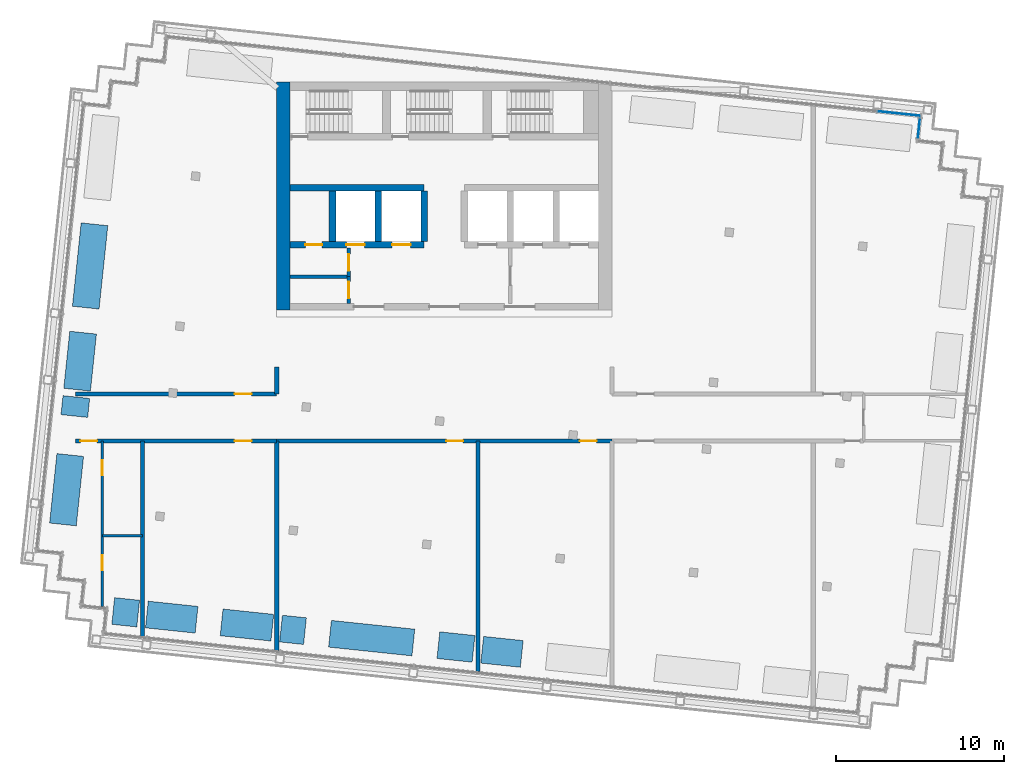
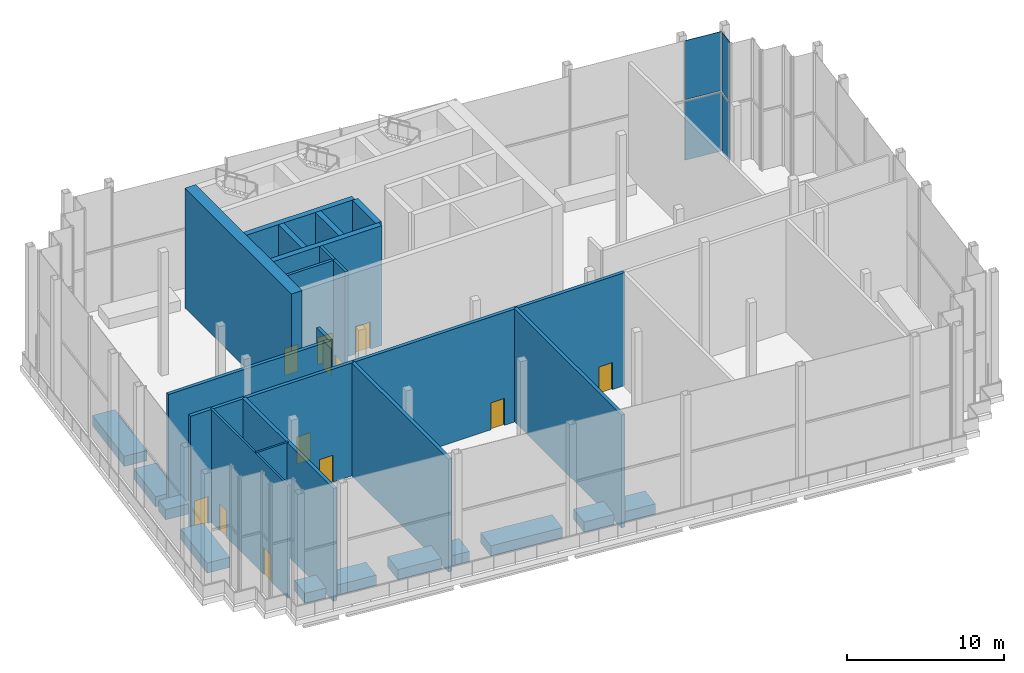
# One storey, part 8 of 14: 29 walls, 12 doors, 4 plates, 12 openings, 2 elements without a shape of their own.
"""IFC4 building model written with IfcOpenShell, lengths in metres."""

from ifc_helpers import new_model, si_unit, direction, frame, frame_2d, origin, origin_2d, place, context, subcontext, project, spatial, rectangle, extrude, material, layer, layer_set, type_object, element, fill, aggregate, save


model = new_model("IFC4")

# Units and contexts
model_context = context("Model", 3, precision=1e-05, world=origin(), true_north=direction((0.0, 1.0)))
body_context = subcontext(model_context, "Body", "Model", "MODEL_VIEW")
ifc_project = project(units=[si_unit("LENGTHUNIT", "METRE"), si_unit("AREAUNIT", "SQUARE_METRE"), si_unit("VOLUMEUNIT", "CUBIC_METRE"), si_unit("PLANEANGLEUNIT", "RADIAN"), si_unit("MASSUNIT", "GRAM", prefix="KILO")], contexts=[model_context])

# Site, building, storey
site_placement = place(None, origin())
site = spatial("IfcSite", under=ifc_project, at=site_placement, CompositionType="ELEMENT")
building_placement = place(site_placement, origin())
building = spatial("IfcBuilding", under=site, at=building_placement, Name="Vidyagriha Tower", CompositionType="ELEMENT")
storey_placement = place(building_placement, frame((0.0, 0.0, 281.89990234375)))
storey = spatial("IfcBuildingStorey", under=building, at=storey_placement, Name="L74", CompositionType="ELEMENT", Elevation=281.89990234375)

# Curtain wall, plates
ifc_material_1 = material(Name="Aluminium and glass curtain wall", Category="aluminium")
curtain_wall_type = type_object("IfcCurtainWallType", Name="Winter garden glazing wall", PredefinedType="USERDEFINED", material=ifc_material_1)
curtain_wall_1_placement = place(storey_placement, origin())
curtain_wall_1 = element("IfcCurtainWall", 1, at=curtain_wall_1_placement, inside=storey, type_object=curtain_wall_type, Name="CW3 winter garden glazing", ObjectType="STICK GLAZING", PredefinedType="USERDEFINED")
ifc_material_2 = material(Name="Laminated green-tint solar-control glass", Category="glass")
ifc_layer_1 = layer(ifc_material_2, 0.031982421875)
ifc_layer_set_1 = layer_set([ifc_layer_1], Name="Laminated green-tint solar-control glass")
plate_type = type_object("IfcPlateType", Name="Green-tint winter garden glass panel", PredefinedType="CURTAIN_PANEL", material=ifc_layer_set_1)
plate_1_placement = place(storey_placement, frame((28.3037109375, 17.24658203125, 0.0), z_axis=(0.0, 0.0, 1.0), x_axis=(0.104556583677, 0.994518939392, 0.0)))
plate_1 = element("IfcPlate", 2, at=plate_1_placement, type_object=plate_type, Name="CW3 panel 1.1", PredefinedType="CURTAIN_PANEL", context=body_context, shape_type="SweptSolid", body=[
    extrude(rectangle(XDim=1.179931640625, YDim=0.031982421875, at=origin_2d()), origin(), (0.0, 0.0, 1.0), 4.60009765625),
])
plate_2_placement = place(storey_placement, frame((28.3037109375, 17.24658203125, 4.719970703125), z_axis=(0.0, 0.0, 1.0), x_axis=(0.104556583677, 0.994518939392, 0.0)))
plate_2 = element("IfcPlate", 3, at=plate_2_placement, type_object=plate_type, Name="CW3 panel 1.2", PredefinedType="CURTAIN_PANEL", context=body_context, shape_type="SweptSolid", body=[
    extrude(rectangle(XDim=1.179931640625, YDim=0.031982421875, at=origin_2d()), origin(), (0.0, 0.0, 1.0), 4.60009765625),
])
aggregate(curtain_wall_1, [plate_1, plate_2])

curtain_wall_2_placement = place(storey_placement, origin())
curtain_wall_2 = element("IfcCurtainWall", 4, at=curtain_wall_2_placement, inside=storey, type_object=curtain_wall_type, Name="CW3 winter garden glazing", ObjectType="STICK GLAZING", PredefinedType="USERDEFINED")
plate_3_placement = place(storey_placement, frame((27.109130859375, 18.12646484375, 0.0), z_axis=(0.0, 0.0, 1.0), x_axis=(-0.994521941707, 0.104528022383, 0.0)))
plate_3 = element("IfcPlate", 5, at=plate_3_placement, type_object=plate_type, Name="CW3 panel 1.1", PredefinedType="CURTAIN_PANEL", context=body_context, shape_type="SweptSolid", body=[
    extrude(rectangle(XDim=2.56005859375, YDim=0.031982421875, at=origin_2d()), origin(), (0.0, 0.0, 1.0), 4.60009765625),
])
plate_4_placement = place(storey_placement, frame((27.109130859375, 18.12646484375, 4.719970703125), z_axis=(0.0, 0.0, 1.0), x_axis=(-0.994521941707, 0.104528022383, 0.0)))
plate_4 = element("IfcPlate", 6, at=plate_4_placement, type_object=plate_type, Name="CW3 panel 1.2", PredefinedType="CURTAIN_PANEL", context=body_context, shape_type="SweptSolid", body=[
    extrude(rectangle(XDim=2.56005859375, YDim=0.031982421875, at=origin_2d()), origin(), (0.0, 0.0, 1.0), 4.60009765625),
])
aggregate(curtain_wall_2, [plate_3, plate_4])

# Walls
ifc_material_3 = material(Name="Precast concrete C40/50 with brick facing", Category="concrete")
ifc_layer_2 = layer(ifc_material_3, 1.60009765625)
ifc_layer_set_2 = layer_set([ifc_layer_2], Name="Precast concrete C40/50 with brick facing")
wall_type_1 = type_object("IfcWallType", Name="Brick planter box 1600", PredefinedType="STANDARD", material=ifc_layer_set_2)
for number, where, z_axis, x_axis, name in (
    (7, (-20.86376953125, 11.524658203125, 0.0), (0.0, 0.0, 1.0), (-0.104539905878, -0.994520692635, 0.0), "PLANTER L74 6"),
    (8, (-6.819580078125, -12.89697265625, 0.0), (0.0, 0.0, 1.0), (0.994520692635, -0.104539905878, 0.0), "PLANTER L74 11"),
):
    element("IfcWall", number, at=place(storey_placement, frame(where, z_axis=z_axis, x_axis=x_axis)), inside=storey, type_object=wall_type_1, Name=name, PredefinedType="STANDARD", context=body_context, shape_type="SweptSolid", body=[
        extrude(rectangle(XDim=5.0, YDim=1.60009765625, at=frame_2d((2.5, 0.0))), origin(), (0.0, 0.0, 1.0), 0.800048828125),
    ])
wall_1_placement = place(storey_placement, frame((-21.543212890625, 5.060302734375, 0.0), z_axis=(0.0, 0.0, 1.0), x_axis=(-0.104499001474, -0.994524991486, 0.0)))
element("IfcWall", 9, at=wall_1_placement, inside=storey, type_object=wall_type_1, Name="PLANTER L74 7", PredefinedType="STANDARD", context=body_context, shape_type="SweptSolid", body=[
    extrude(rectangle(XDim=3.42041015625, YDim=1.60009765625, at=frame_2d((1.710205078125, 0.0))), origin(), (0.0, 0.0, 1.0), 0.800048828125),
])
wall_2_placement = place(storey_placement, frame((-21.947021484375, 1.219482421875, 0.0), z_axis=(0.0, 0.0, 1.0), x_axis=(-0.104472610257, -0.994527764171, 0.0)))
element("IfcWall", 10, at=wall_2_placement, inside=storey, type_object=wall_type_1, Name="PLANTER L74 7", PredefinedType="STANDARD", context=body_context, shape_type="SweptSolid", body=[
    extrude(rectangle(XDim=1.13818359375, YDim=1.60009765625, at=frame_2d((0.569091796875, 0.0))), origin(), (0.0, 0.0, 1.0), 0.800048828125),
])
wall_3_placement = place(storey_placement, frame((-22.31005859375, -2.23583984375, 0.0), z_axis=(0.0, 0.0, 1.0), x_axis=(-0.104547431429, -0.994519901551, 0.0)))
element("IfcWall", 11, at=wall_3_placement, inside=storey, type_object=wall_type_1, Name="PLANTER L74 8", PredefinedType="STANDARD", context=body_context, shape_type="SweptSolid", body=[
    extrude(rectangle(XDim=4.16357421875, YDim=1.60009765625, at=frame_2d((2.081787109375, 0.0))), origin(), (0.0, 0.0, 1.0), 0.800048828125),
])
wall_4_placement = place(storey_placement, frame((-19.748291015625, -11.5380859375, 0.0), z_axis=(0.0, 0.0, 1.0), x_axis=(0.994527756865, -0.104472679802, 0.0)))
element("IfcWall", 12, at=wall_4_placement, inside=storey, type_object=wall_type_1, Name="PLANTER L74 9", PredefinedType="STANDARD", context=body_context, shape_type="SweptSolid", body=[
    extrude(rectangle(XDim=1.498046875, YDim=1.60009765625, at=frame_2d((0.7490234375, 0.0))), origin(), (0.0, 0.0, 1.0), 0.800048828125),
])
wall_5_placement = place(storey_placement, frame((-17.741455078125, -11.7490234375, 0.0), z_axis=(0.0, 0.0, 1.0), x_axis=(0.994520246325, -0.104544151676, 0.0)))
element("IfcWall", 13, at=wall_5_placement, inside=storey, type_object=wall_type_1, Name="PLANTER L74 9", PredefinedType="STANDARD", context=body_context, shape_type="SweptSolid", body=[
    extrude(rectangle(XDim=2.982177734375, YDim=1.60009765625, at=frame_2d((1.4912109375, 0.0))), origin(), (0.0, 0.0, 1.0), 0.800048828125),
])
wall_6_placement = place(storey_placement, frame((-13.283935546875, -12.217529296875, 0.0), z_axis=(0.0, 0.0, 1.0), x_axis=(0.994525663128, -0.104492609215, 0.0)))
element("IfcWall", 14, at=wall_6_placement, inside=storey, type_object=wall_type_1, Name="PLANTER L74 10", PredefinedType="STANDARD", context=body_context, shape_type="SweptSolid", body=[
    extrude(rectangle(XDim=3.0419921875, YDim=1.60009765625, at=frame_2d((1.52099609375, 0.0))), origin(), (0.0, 0.0, 1.0), 0.800048828125),
])
wall_7_placement = place(storey_placement, frame((-9.741455078125, -12.58984375, 0.0), z_axis=(0.0, 0.0, 1.0), x_axis=(0.99451661027, -0.104578735392, 0.0)))
element("IfcWall", 15, at=wall_7_placement, inside=storey, type_object=wall_type_1, Name="PLANTER L74 10", PredefinedType="STANDARD", context=body_context, shape_type="SweptSolid", body=[
    extrude(rectangle(XDim=1.43798828125, YDim=1.60009765625, at=frame_2d((0.718994140625, 0.0))), origin(), (0.0, 0.0, 1.0), 0.800048828125),
])
wall_8_placement = place(storey_placement, frame((-0.35498046875, -13.576416015625, 0.0), z_axis=(0.0, 0.0, 1.0), x_axis=(0.994516236026, -0.104582294297, 0.0)))
element("IfcWall", 16, at=wall_8_placement, inside=storey, type_object=wall_type_1, Name="PLANTER L74 12", PredefinedType="STANDARD", context=body_context, shape_type="SweptSolid", body=[
    extrude(rectangle(XDim=2.10791015625, YDim=1.60009765625, at=frame_2d((1.053955078125, 0.0))), origin(), (0.0, 0.0, 1.0), 0.800048828125),
])
wall_9_placement = place(storey_placement, frame((2.258544921875, -13.85107421875, 0.0), z_axis=(0.0, 0.0, 1.0), x_axis=(0.994516727228, -0.104577623149, 0.0)))
element("IfcWall", 17, at=wall_9_placement, inside=storey, type_object=wall_type_1, Name="PLANTER L74 12", PredefinedType="STANDARD", context=body_context, shape_type="SweptSolid", body=[
    extrude(rectangle(XDim=2.371826171875, YDim=1.60009765625, at=frame_2d((1.18603515625, 0.0))), origin(), (0.0, 0.0, 1.0), 0.800048828125),
])

# Wall, openings, doors
ifc_material_4 = material(Name="Concrete C60/75", Category="concrete")
ifc_layer_3 = layer(ifc_material_4, 0.39990234375)
ifc_layer_set_3 = layer_set([ifc_layer_3], Name="Concrete C60/75")
wall_type_2 = type_object("IfcWallType", Name="Core shear wall 400 mm", PredefinedType="SHEAR", material=ifc_layer_set_3)
wall_10_placement = place(storey_placement, frame((-9.199951171875, 10.300048828125, 0.0)))
wall_10 = element("IfcWall", 18, at=wall_10_placement, inside=storey, type_object=wall_type_2, Name="Core row N front wall", PredefinedType="SHEAR", context=body_context, shape_type="SweptSolid", body=[
    extrude(rectangle(XDim=8.0, YDim=0.39990234375, at=frame_2d((4.0, 0.0))), origin(), (0.0, 0.0, 1.0), 9.320068359375),
])
opening_1_placement = place(wall_10_placement, frame((3.35009765625, 0.0, 0.0)))
opening_1 = element("IfcOpeningElement", 19, at=opening_1_placement, cuts=wall_10, Name="Opening LD74-01", PredefinedType="OPENING", context=body_context, shape_type="SweptSolid", body=[
    extrude(rectangle(XDim=1.10009765625, YDim=2.10009765625, at=frame_2d((0.550048828125, 1.050048828125))), frame((0.0, 0.2099609375, 0.0), z_axis=(0.0, -1.0, 0.0), x_axis=(1.0, 0.0, 0.0)), (0.0, 0.0, 1.0), 0.419921875),
])
opening_2_placement = place(wall_10_placement, frame((6.083251953125, 0.0, 0.0)))
opening_2 = element("IfcOpeningElement", 20, at=opening_2_placement, cuts=wall_10, Name="Opening LD74-02", PredefinedType="OPENING", context=body_context, shape_type="SweptSolid", body=[
    extrude(rectangle(XDim=1.10009765625, YDim=2.10009765625, at=frame_2d((0.550048828125, 1.050048828125))), frame((0.0, 0.2099609375, 0.0), z_axis=(0.0, -1.0, 0.0), x_axis=(1.0, 0.0, 0.0)), (0.0, 0.0, 1.0), 0.419921875),
])
opening_3_placement = place(wall_10_placement, frame((0.916748046875, 0.0, 0.0)))
opening_3 = element("IfcOpeningElement", 21, at=opening_3_placement, cuts=wall_10, Name="Opening D74-04", PredefinedType="OPENING", context=body_context, shape_type="SweptSolid", body=[
    extrude(rectangle(XDim=1.0, YDim=2.10009765625, at=frame_2d((0.5, 1.050048828125))), frame((0.0, 0.2099609375, 0.0), z_axis=(0.0, -1.0, 0.0), x_axis=(1.0, 0.0, 0.0)), (0.0, 0.0, 1.0), 0.419921875),
])
ifc_material_5 = material(Name="Hollow metal door leaf")
door_type_1 = type_object("IfcDoorType", Name="Core room door 1000 x 2100 mm EI 60", OperationType="NOTDEFINED", PredefinedType="DOOR", material=ifc_material_5)
door_1_placement = place(opening_3_placement, frame((1.0, 0.0, 0.0), z_axis=(0.0, 0.0, 1.0), x_axis=(-1.0, 0.0, 0.0)))
door_1 = element("IfcDoor", 22, at=door_1_placement, inside=storey, type_object=door_type_1, Name="Door Communications Room 74.14", OperationType="SINGLE_SWING_RIGHT", OverallHeight=2.10009765625, OverallWidth=1.0, PredefinedType="DOOR", context=body_context, shape_type="SweptSolid", body=[
    extrude(rectangle(XDim=1.0, YDim=2.10009765625, at=frame_2d((0.5, 1.050048828125))), frame((0.0, 0.02490234375, 0.0), z_axis=(0.0, -1.0, 0.0), x_axis=(1.0, 0.0, 0.0)), (0.0, 0.0, 1.0), 0.050048828125),
])
fill(opening_3, door_1)
ifc_material_6 = material(Name="Stainless steel sliding door panel", Category="steel")
door_type_2 = type_object("IfcDoorType", Name="Lift landing door 1100 x 2100 mm EI 90", OperationType="NOTDEFINED", PredefinedType="DOOR", material=ifc_material_6)
door_2_placement = place(opening_1_placement, origin())
door_2 = element("IfcDoor", 23, at=door_2_placement, inside=storey, type_object=door_type_2, Name="Landing door HR1 L74", OperationType="SLIDING_TO_LEFT", OverallHeight=2.10009765625, OverallWidth=1.10009765625, PredefinedType="DOOR", context=body_context, shape_type="SweptSolid", body=[
    extrude(rectangle(XDim=1.10009765625, YDim=2.10009765625, at=frame_2d((0.550048828125, 1.050048828125))), frame((0.0, 0.02490234375, 0.0), z_axis=(0.0, -1.0, 0.0), x_axis=(1.0, 0.0, 0.0)), (0.0, 0.0, 1.0), 0.050048828125),
])
fill(opening_1, door_2)
door_3_placement = place(opening_2_placement, origin())
door_3 = element("IfcDoor", 24, at=door_3_placement, inside=storey, type_object=door_type_2, Name="Landing door HR2 L74", OperationType="SLIDING_TO_LEFT", OverallHeight=2.10009765625, OverallWidth=1.10009765625, PredefinedType="DOOR", context=body_context, shape_type="SweptSolid", body=[
    extrude(rectangle(XDim=1.10009765625, YDim=2.10009765625, at=frame_2d((0.550048828125, 1.050048828125))), frame((0.0, 0.02490234375, 0.0), z_axis=(0.0, -1.0, 0.0), x_axis=(1.0, 0.0, 0.0)), (0.0, 0.0, 1.0), 0.050048828125),
])
fill(opening_2, door_3)

# Walls
wall_11_placement = place(storey_placement, frame((-9.199951171875, 13.699951171875, 0.0)))
element("IfcWall", 25, at=wall_11_placement, inside=storey, type_object=wall_type_2, Name="Core row N rear wall", PredefinedType="SHEAR", context=body_context, shape_type="SweptSolid", body=[
    extrude(rectangle(XDim=8.0, YDim=0.39990234375, at=frame_2d((4.0, 0.0))), origin(), (0.0, 0.0, 1.0), 9.320068359375),
])
for number, where, z_axis, x_axis, name in (
    (26, (-6.666748046875, 10.5, 0.0), (0.0, 0.0, 1.0), (0.0, 1.0, 0.0), "Core bay wall N1"),
    (27, (-3.933349609375, 10.5, 0.0), (0.0, 0.0, 1.0), (0.0, 1.0, 0.0), "Core bay wall N2"),
    (28, (-1.199951171875, 10.5, 0.0), (0.0, 0.0, 1.0), (0.0, 1.0, 0.0), "Core bay wall N3"),
):
    element("IfcWall", number, at=place(storey_placement, frame(where, z_axis=z_axis, x_axis=x_axis)), inside=storey, type_object=wall_type_2, Name=name, PredefinedType="SHEAR", context=body_context, shape_type="SweptSolid", body=[
        extrude(rectangle(XDim=3.0, YDim=0.39990234375, at=frame_2d((1.5, 0.0))), origin(), (0.0, 0.0, 1.0), 9.320068359375),
    ])
ifc_material_7 = material(Name="Concrete C60/75", Category="concrete")
ifc_layer_4 = layer(ifc_material_7, 0.800048828125)
ifc_layer_set_4 = layer_set([ifc_layer_4], Name="Concrete C60/75")
wall_type_3 = type_object("IfcWallType", Name="Core shear wall 800 mm", PredefinedType="SHEAR", material=ifc_layer_set_4)
wall_12_placement = place(storey_placement, frame((-9.60009765625, 6.39990234375, 0.0), z_axis=(0.0, 0.0, 1.0), x_axis=(0.0, 1.0, 0.0)))
element("IfcWall", 29, at=wall_12_placement, inside=storey, type_object=wall_type_3, Name="Core west wall", PredefinedType="SHEAR", context=body_context, shape_type="SweptSolid", body=[
    extrude(rectangle(XDim=13.60009765625, YDim=0.800048828125, at=frame_2d((6.800048828125, 0.0))), origin(), (0.0, 0.0, 1.0), 9.320068359375),
])

# Wall, openings, doors
ifc_material_8 = material(Name="Fired clay brick masonry", Category="masonry")
ifc_layer_5 = layer(ifc_material_8, 0.25)
ifc_layer_set_5 = layer_set([ifc_layer_5], Name="Fired clay brick masonry")
wall_type_4 = type_object("IfcWallType", Name="Fired clay brick corridor wall 250", PredefinedType="PARTITIONING", material=ifc_layer_set_5)
wall_13_placement = place(storey_placement, frame((-10.0, -1.39990234375, 0.0), z_axis=(0.0, 0.0, 1.0), x_axis=(-1.0, 0.0, 0.0)))
wall_13 = element("IfcWall", 30, at=wall_13_placement, inside=storey, type_object=wall_type_4, Name="Wall all-L74-w001", PredefinedType="PARTITIONING", context=body_context, shape_type="SweptSolid", body=[
    extrude(rectangle(XDim=12.0, YDim=0.25, at=frame_2d((6.0, 0.0))), origin(), (0.0, 0.0, 1.0), 8.800048828125),
])
opening_4_placement = place(wall_13_placement, frame((1.5, 0.0, 0.0)))
opening_4 = element("IfcOpeningElement", 31, at=opening_4_placement, cuts=wall_13, Name="Opening D74-11", PredefinedType="OPENING", context=body_context, shape_type="SweptSolid", body=[
    extrude(rectangle(XDim=1.0, YDim=2.10009765625, at=frame_2d((0.5, 1.050048828125))), frame((0.0, 0.135009765625, 0.0), z_axis=(0.0, -1.0, 0.0), x_axis=(1.0, 0.0, 0.0)), (0.0, 0.0, 1.0), 0.27001953125),
])
opening_5_placement = place(wall_13_placement, frame((10.699951171875, 0.0, 0.0)))
opening_5 = element("IfcOpeningElement", 32, at=opening_5_placement, cuts=wall_13, Name="Opening D74-14", PredefinedType="OPENING", context=body_context, shape_type="SweptSolid", body=[
    extrude(rectangle(XDim=1.0, YDim=2.10009765625, at=frame_2d((0.5, 1.050048828125))), frame((0.0, 0.135009765625, 0.0), z_axis=(0.0, -1.0, 0.0), x_axis=(1.0, 0.0, 0.0)), (0.0, 0.0, 1.0), 0.27001953125),
])
ifc_material_9 = material(Name="Fire-rated timber door leaf EI 60", Category="wood")
door_type_3 = type_object("IfcDoorType", Name="Flat entrance fire door 1000x2100", OperationType="NOTDEFINED", PredefinedType="DOOR", material=ifc_material_9)
door_4_placement = place(opening_4_placement, origin())
door_4 = element("IfcDoor", 33, at=door_4_placement, inside=storey, type_object=door_type_3, Name="Door D74-11", OperationType="SINGLE_SWING_LEFT", OverallHeight=2.10009765625, OverallWidth=1.0, PredefinedType="DOOR", context=body_context, shape_type="SweptSolid", body=[
    extrude(rectangle(XDim=1.0, YDim=2.10009765625, at=frame_2d((0.5, 1.050048828125))), frame((0.0, 0.02490234375, 0.0), z_axis=(0.0, -1.0, 0.0), x_axis=(1.0, 0.0, 0.0)), (0.0, 0.0, 1.0), 0.050048828125),
])
fill(opening_4, door_4)
door_5_placement = place(opening_5_placement, origin())
door_5 = element("IfcDoor", 34, at=door_5_placement, inside=storey, type_object=door_type_3, Name="Door D74-14", OperationType="SINGLE_SWING_LEFT", OverallHeight=2.10009765625, OverallWidth=1.0, PredefinedType="DOOR", context=body_context, shape_type="SweptSolid", body=[
    extrude(rectangle(XDim=1.0, YDim=2.10009765625, at=frame_2d((0.5, 1.050048828125))), frame((0.0, 0.02490234375, 0.0), z_axis=(0.0, -1.0, 0.0), x_axis=(1.0, 0.0, 0.0)), (0.0, 0.0, 1.0), 0.050048828125),
])
fill(opening_5, door_5)

# Wall, opening, door
wall_14_placement = place(storey_placement, frame((-22.0, 1.39990234375, 0.0)))
wall_14 = element("IfcWall", 35, at=wall_14_placement, inside=storey, type_object=wall_type_4, Name="Wall all-L74-w010", PredefinedType="PARTITIONING", context=body_context, shape_type="SweptSolid", body=[
    extrude(rectangle(XDim=12.0, YDim=0.25, at=frame_2d((6.0, 0.0))), origin(), (0.0, 0.0, 1.0), 8.800048828125),
])
opening_6_placement = place(wall_14_placement, frame((9.5, 0.0, 0.0)))
opening_6 = element("IfcOpeningElement", 36, at=opening_6_placement, cuts=wall_14, Name="Opening D74-15", PredefinedType="OPENING", context=body_context, shape_type="SweptSolid", body=[
    extrude(rectangle(XDim=1.0, YDim=2.10009765625, at=frame_2d((0.5, 1.050048828125))), frame((0.0, 0.135009765625, 0.0), z_axis=(0.0, -1.0, 0.0), x_axis=(1.0, 0.0, 0.0)), (0.0, 0.0, 1.0), 0.27001953125),
])
door_6_placement = place(opening_6_placement, origin())
door_6 = element("IfcDoor", 37, at=door_6_placement, inside=storey, type_object=door_type_3, Name="Door D74-15", OperationType="SINGLE_SWING_RIGHT", OverallHeight=2.10009765625, OverallWidth=1.0, PredefinedType="DOOR", context=body_context, shape_type="SweptSolid", body=[
    extrude(rectangle(XDim=1.0, YDim=2.10009765625, at=frame_2d((0.5, 1.050048828125))), frame((0.0, 0.02490234375, 0.0), z_axis=(0.0, -1.0, 0.0), x_axis=(1.0, 0.0, 0.0)), (0.0, 0.0, 1.0), 0.050048828125),
])
fill(opening_6, door_6)

# Wall, openings, doors
wall_15_placement = place(storey_placement, frame((10.0, -1.39990234375, 0.0), z_axis=(0.0, 0.0, 1.0), x_axis=(-1.0, 0.0, 0.0)))
wall_15 = element("IfcWall", 38, at=wall_15_placement, inside=storey, type_object=wall_type_4, Name="Wall all-L74-w028", PredefinedType="PARTITIONING", context=body_context, shape_type="SweptSolid", body=[
    extrude(rectangle(XDim=20.0, YDim=0.25, at=frame_2d((10.0, 0.0))), origin(), (0.0, 0.0, 1.0), 8.800048828125),
])
opening_7_placement = place(wall_15_placement, frame((8.872802734375, 0.0, 0.0)))
opening_7 = element("IfcOpeningElement", 39, at=opening_7_placement, cuts=wall_15, Name="Opening D74-21", PredefinedType="OPENING", context=body_context, shape_type="SweptSolid", body=[
    extrude(rectangle(XDim=1.0, YDim=2.10009765625, at=frame_2d((0.5, 1.050048828125))), frame((0.0, 0.135009765625, 0.0), z_axis=(0.0, -1.0, 0.0), x_axis=(1.0, 0.0, 0.0)), (0.0, 0.0, 1.0), 0.27001953125),
])
opening_8_placement = place(wall_15_placement, frame((0.91650390625, 0.0, 0.0)))
opening_8 = element("IfcOpeningElement", 40, at=opening_8_placement, cuts=wall_15, Name="Opening D74-22", PredefinedType="OPENING", context=body_context, shape_type="SweptSolid", body=[
    extrude(rectangle(XDim=1.0, YDim=2.10009765625, at=frame_2d((0.5, 1.050048828125))), frame((0.0, 0.135009765625, 0.0), z_axis=(0.0, -1.0, 0.0), x_axis=(1.0, 0.0, 0.0)), (0.0, 0.0, 1.0), 0.27001953125),
])
door_7_placement = place(opening_7_placement, origin())
door_7 = element("IfcDoor", 41, at=door_7_placement, inside=storey, type_object=door_type_3, Name="Door D74-21", OperationType="SINGLE_SWING_LEFT", OverallHeight=2.10009765625, OverallWidth=1.0, PredefinedType="DOOR", context=body_context, shape_type="SweptSolid", body=[
    extrude(rectangle(XDim=1.0, YDim=2.10009765625, at=frame_2d((0.5, 1.050048828125))), frame((0.0, 0.02490234375, 0.0), z_axis=(0.0, -1.0, 0.0), x_axis=(1.0, 0.0, 0.0)), (0.0, 0.0, 1.0), 0.050048828125),
])
fill(opening_7, door_7)
door_8_placement = place(opening_8_placement, origin())
door_8 = element("IfcDoor", 42, at=door_8_placement, inside=storey, type_object=door_type_3, Name="Door D74-22", OperationType="SINGLE_SWING_LEFT", OverallHeight=2.10009765625, OverallWidth=1.0, PredefinedType="DOOR", context=body_context, shape_type="SweptSolid", body=[
    extrude(rectangle(XDim=1.0, YDim=2.10009765625, at=frame_2d((0.5, 1.050048828125))), frame((0.0, 0.02490234375, 0.0), z_axis=(0.0, -1.0, 0.0), x_axis=(1.0, 0.0, 0.0)), (0.0, 0.0, 1.0), 0.050048828125),
])
fill(opening_8, door_8)

# Walls
wall_16_placement = place(storey_placement, frame((-10.0, 3.0, 0.0), z_axis=(0.0, 0.0, 1.0), x_axis=(0.0, -1.0, 0.0)))
element("IfcWall", 43, at=wall_16_placement, inside=storey, type_object=wall_type_4, Name="Wall all-L74-w029", PredefinedType="PARTITIONING", context=body_context, shape_type="SweptSolid", body=[
    extrude(rectangle(XDim=1.60009765625, YDim=0.25, at=frame_2d((0.800048828125, 0.0))), origin(), (0.0, 0.0, 1.0), 8.800048828125),
])
ifc_material_10 = material(Name="Fired clay brick masonry", Category="masonry")
ifc_layer_6 = layer(ifc_material_10, 0.25)
ifc_layer_set_6 = layer_set([ifc_layer_6], Name="Fired clay brick masonry")
wall_type_5 = type_object("IfcWallType", Name="Fired clay brick demising wall 250", PredefinedType="PARTITIONING", material=ifc_layer_set_6)
wall_17_placement = place(storey_placement, frame((-18.0, -1.39990234375, 0.0), z_axis=(0.0, 0.0, 1.0), x_axis=(0.0, -1.0, 0.0)))
element("IfcWall", 44, at=wall_17_placement, inside=storey, type_object=wall_type_5, Name="Wall all-L74-w008", PredefinedType="PARTITIONING", context=body_context, shape_type="SweptSolid", body=[
    extrude(rectangle(XDim=11.650390625, YDim=0.25, at=frame_2d((5.8251953125, 0.0))), origin(), (0.0, 0.0, 1.0), 8.800048828125),
])
wall_18_placement = place(storey_placement, frame((-10.0, -1.39990234375, 0.0), z_axis=(0.0, 0.0, 1.0), x_axis=(0.0, -1.0, 0.0)))
element("IfcWall", 45, at=wall_18_placement, inside=storey, type_object=wall_type_5, Name="Wall all-L74-w009", PredefinedType="PARTITIONING", context=body_context, shape_type="SweptSolid", body=[
    extrude(rectangle(XDim=12.4912109375, YDim=0.25, at=frame_2d((6.24560546875, 0.0))), origin(), (0.0, 0.0, 1.0), 8.800048828125),
])
wall_19_placement = place(storey_placement, frame((2.0, -1.39990234375, 0.0), z_axis=(0.0, 0.0, 1.0), x_axis=(0.0, -1.0, 0.0)))
element("IfcWall", 46, at=wall_19_placement, inside=storey, type_object=wall_type_5, Name="Wall all-L74-w027", PredefinedType="PARTITIONING", context=body_context, shape_type="SweptSolid", body=[
    extrude(rectangle(XDim=13.75244140625, YDim=0.25, at=frame_2d((6.876220703125, 0.0))), origin(), (0.0, 0.0, 1.0), 8.800048828125),
])
ifc_material_11 = material(Name="Gypsum board partition")
ifc_layer_7 = layer(ifc_material_11, 0.14990234375)
ifc_layer_set_7 = layer_set([ifc_layer_7], Name="Gypsum board partition")
wall_type_6 = type_object("IfcWallType", Name="Gypsum board partition 150", PredefinedType="PARTITIONING", material=ifc_layer_set_7)
wall_20_placement = place(storey_placement, frame((-18.0, -7.061279296875, 0.0), z_axis=(0.0, 0.0, 1.0), x_axis=(-1.0, 0.0, 0.0)))
element("IfcWall", 47, at=wall_20_placement, inside=storey, type_object=wall_type_6, Name="Wall all-L74-w005", PredefinedType="PARTITIONING", context=body_context, shape_type="SweptSolid", body=[
    extrude(rectangle(XDim=2.39990234375, YDim=0.14990234375, at=frame_2d((1.199951171875, 0.0))), origin(), (0.0, 0.0, 1.0), 8.800048828125),
])

# Wall, openings, doors
ifc_material_12 = material(Name="Moisture resistant gypsum board partition")
ifc_layer_8 = layer(ifc_material_12, 0.14990234375)
ifc_layer_set_8 = layer_set([ifc_layer_8], Name="Moisture resistant gypsum board partition")
wall_type_7 = type_object("IfcWallType", Name="Gypsum board wet-area partition 150", PredefinedType="PARTITIONING", material=ifc_layer_set_8)
wall_21_placement = place(storey_placement, frame((-20.39990234375, -1.39990234375, 0.0), z_axis=(0.0, 0.0, 1.0), x_axis=(0.0, -1.0, 0.0)))
wall_21 = element("IfcWall", 48, at=wall_21_placement, inside=storey, type_object=wall_type_7, Name="Wall all-L74-w003", PredefinedType="PARTITIONING", context=body_context, shape_type="SweptSolid", body=[
    extrude(rectangle(XDim=9.87890625, YDim=0.14990234375, at=frame_2d((4.939453125, 0.0))), origin(), (0.0, 0.0, 1.0), 8.800048828125),
])
opening_9_placement = place(wall_21_placement, frame((1.14990234375, 0.0, 0.0)))
opening_9 = element("IfcOpeningElement", 49, at=opening_9_placement, cuts=wall_21, Name="Opening D74-12", PredefinedType="OPENING", context=body_context, shape_type="SweptSolid", body=[
    extrude(rectangle(XDim=0.89990234375, YDim=2.10009765625, at=frame_2d((0.449951171875, 1.050048828125))), frame((0.0, 0.0849609375, 0.0), z_axis=(0.0, -1.0, 0.0), x_axis=(1.0, 0.0, 0.0)), (0.0, 0.0, 1.0), 0.169921875),
])
opening_10_placement = place(wall_21_placement, frame((6.811279296875, 0.0, 0.0)))
opening_10 = element("IfcOpeningElement", 50, at=opening_10_placement, cuts=wall_21, Name="Opening D74-13", PredefinedType="OPENING", context=body_context, shape_type="SweptSolid", body=[
    extrude(rectangle(XDim=0.89990234375, YDim=2.10009765625, at=frame_2d((0.449951171875, 1.050048828125))), frame((0.0, 0.0849609375, 0.0), z_axis=(0.0, -1.0, 0.0), x_axis=(1.0, 0.0, 0.0)), (0.0, 0.0, 1.0), 0.169921875),
])
ifc_material_13 = material(Name="Timber door leaf", Category="wood")
door_type_4 = type_object("IfcDoorType", Name="Bathroom door 900x2100", OperationType="NOTDEFINED", PredefinedType="DOOR", material=ifc_material_13)
door_9_placement = place(opening_9_placement, origin())
door_9 = element("IfcDoor", 51, at=door_9_placement, inside=storey, type_object=door_type_4, Name="Door D74-12", OperationType="SINGLE_SWING_LEFT", OverallHeight=2.10009765625, OverallWidth=0.89990234375, PredefinedType="DOOR", context=body_context, shape_type="SweptSolid", body=[
    extrude(rectangle(XDim=0.89990234375, YDim=2.10009765625, at=frame_2d((0.449951171875, 1.050048828125))), frame((0.0, 0.02490234375, 0.0), z_axis=(0.0, -1.0, 0.0), x_axis=(1.0, 0.0, 0.0)), (0.0, 0.0, 1.0), 0.050048828125),
])
fill(opening_9, door_9)
door_10_placement = place(opening_10_placement, origin())
door_10 = element("IfcDoor", 52, at=door_10_placement, inside=storey, type_object=door_type_4, Name="Door D74-13", OperationType="SINGLE_SWING_LEFT", OverallHeight=2.10009765625, OverallWidth=0.89990234375, PredefinedType="DOOR", context=body_context, shape_type="SweptSolid", body=[
    extrude(rectangle(XDim=0.89990234375, YDim=2.10009765625, at=frame_2d((0.449951171875, 1.050048828125))), frame((0.0, 0.02490234375, 0.0), z_axis=(0.0, -1.0, 0.0), x_axis=(1.0, 0.0, 0.0)), (0.0, 0.0, 1.0), 0.050048828125),
])
fill(opening_10, door_10)

# Wall, opening, door
ifc_material_14 = material(Name="Blockwork 15 MPa", Category="masonry")
ifc_layer_9 = layer(ifc_material_14, 0.199951171875)
ifc_layer_set_9 = layer_set([ifc_layer_9], Name="Blockwork 15 MPa")
wall_type_8 = type_object("IfcWallType", Name="Service room partition 200 mm", PredefinedType="PARTITIONING", material=ifc_layer_set_9)
wall_22_placement = place(storey_placement, frame((-5.699951171875, 6.800048828125, 0.0), z_axis=(0.0, 0.0, 1.0), x_axis=(0.0, 1.0, 0.0)))
wall_22 = element("IfcWall", 53, at=wall_22_placement, inside=storey, type_object=wall_type_8, Name="Core room partition W", PredefinedType="PARTITIONING", context=body_context, shape_type="SweptSolid", body=[
    extrude(rectangle(XDim=1.599853515625, YDim=0.199951171875, at=frame_2d((0.7998046875, 0.0))), origin(), (0.0, 0.0, 1.0), 9.320068359375),
])
opening_11_placement = place(wall_22_placement, frame((0.300048828125, 0.0, 0.0)))
opening_11 = element("IfcOpeningElement", 54, at=opening_11_placement, cuts=wall_22, Name="Opening D74-09", PredefinedType="OPENING", context=body_context, shape_type="SweptSolid", body=[
    extrude(rectangle(XDim=1.0, YDim=2.10009765625, at=frame_2d((0.5, 1.050048828125))), frame((0.0, 0.10986328125, 0.0), z_axis=(0.0, -1.0, 0.0), x_axis=(1.0, 0.0, 0.0)), (0.0, 0.0, 1.0), 0.219970703125),
])
door_11_placement = place(opening_11_placement, origin())
door_11 = element("IfcDoor", 55, at=door_11_placement, inside=storey, type_object=door_type_1, Name="Door Communications Room 74.T1", OperationType="SINGLE_SWING_LEFT", OverallHeight=2.10009765625, OverallWidth=1.0, PredefinedType="DOOR", context=body_context, shape_type="SweptSolid", body=[
    extrude(rectangle(XDim=1.0, YDim=2.10009765625, at=frame_2d((0.5, 1.050048828125))), frame((0.0, 0.02490234375, 0.0), z_axis=(0.0, -1.0, 0.0), x_axis=(1.0, 0.0, 0.0)), (0.0, 0.0, 1.0), 0.050048828125),
])
fill(opening_11, door_11)

wall_23_placement = place(storey_placement, frame((-5.699951171875, 8.39990234375, 0.0), z_axis=(0.0, 0.0, 1.0), x_axis=(0.0, 1.0, 0.0)))
wall_23 = element("IfcWall", 56, at=wall_23_placement, inside=storey, type_object=wall_type_8, Name="Core room partition W2", PredefinedType="PARTITIONING", context=body_context, shape_type="SweptSolid", body=[
    extrude(rectangle(XDim=1.7001953125, YDim=0.199951171875, at=frame_2d((0.85009765625, 0.0))), origin(), (0.0, 0.0, 1.0), 9.320068359375),
])
opening_12_placement = place(wall_23_placement, frame((0.35009765625, 0.0, 0.0)))
opening_12 = element("IfcOpeningElement", 57, at=opening_12_placement, cuts=wall_23, Name="Opening D74-10", PredefinedType="OPENING", context=body_context, shape_type="SweptSolid", body=[
    extrude(rectangle(XDim=1.0, YDim=2.10009765625, at=frame_2d((0.5, 1.050048828125))), frame((0.0, 0.10986328125, 0.0), z_axis=(0.0, -1.0, 0.0), x_axis=(1.0, 0.0, 0.0)), (0.0, 0.0, 1.0), 0.219970703125),
])
door_12_placement = place(opening_12_placement, origin())
door_12 = element("IfcDoor", 58, at=door_12_placement, inside=storey, type_object=door_type_1, Name="Door Cleaners Store 74.T2", OperationType="SINGLE_SWING_RIGHT", OverallHeight=2.10009765625, OverallWidth=1.0, PredefinedType="DOOR", context=body_context, shape_type="SweptSolid", body=[
    extrude(rectangle(XDim=1.0, YDim=2.10009765625, at=frame_2d((0.5, 1.050048828125))), frame((0.0, 0.02490234375, 0.0), z_axis=(0.0, -1.0, 0.0), x_axis=(1.0, 0.0, 0.0)), (0.0, 0.0, 1.0), 0.050048828125),
])
fill(opening_12, door_12)

# Wall
wall_24_placement = place(storey_placement, frame((-9.199951171875, 8.39990234375, 0.0)))
element("IfcWall", 59, at=wall_24_placement, inside=storey, type_object=wall_type_8, Name="Core room partition W", PredefinedType="PARTITIONING", context=body_context, shape_type="SweptSolid", body=[
    extrude(rectangle(XDim=3.39990234375, YDim=0.199951171875, at=frame_2d((1.699951171875, 0.0))), origin(), (0.0, 0.0, 1.0), 9.320068359375),
])

save(model, "model.ifc")
